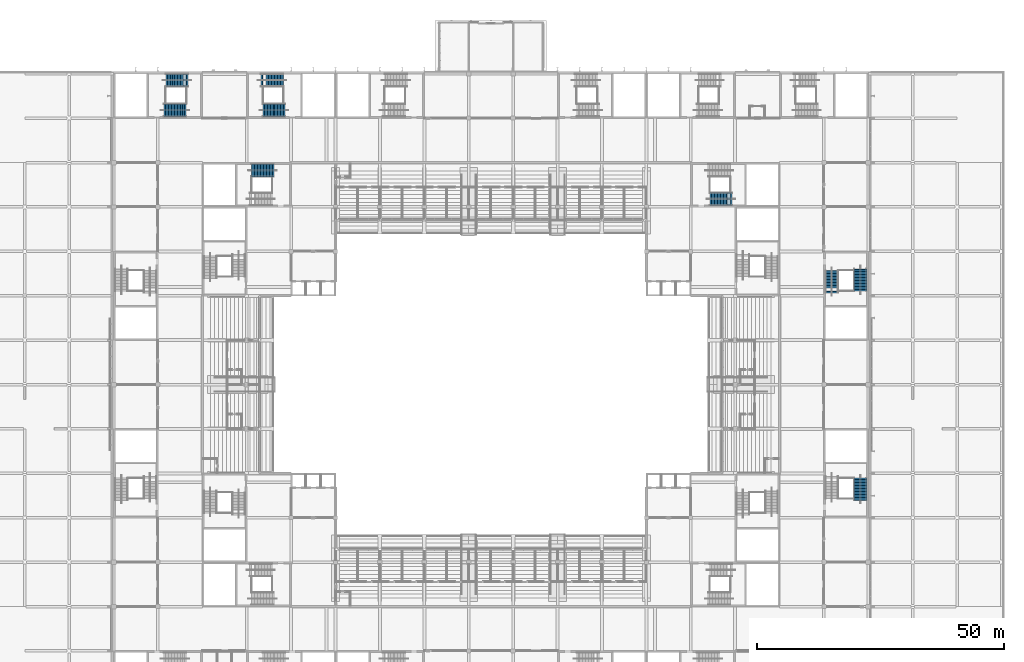
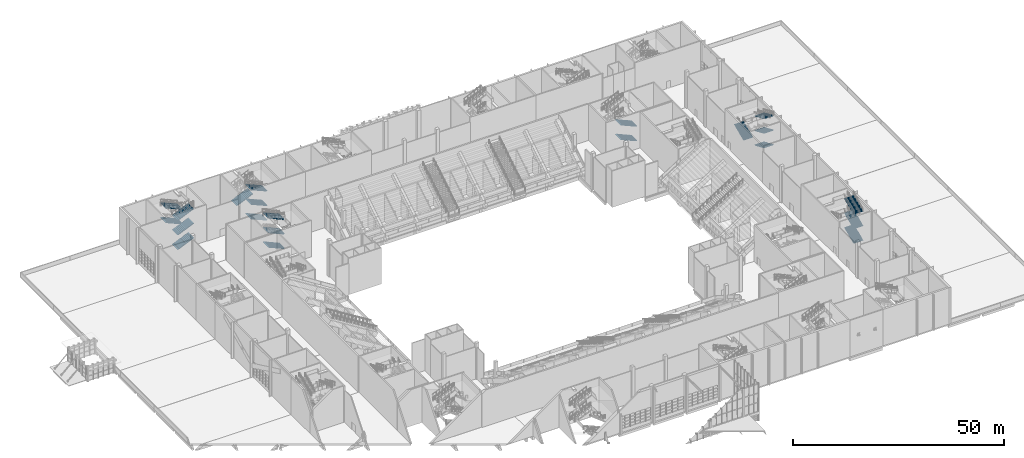
# One storey, part 100 of 182: 21 stair flights, 6 elements without a shape of their own.
"""IFC4 building model written with IfcOpenShell, lengths in metres."""

import ifcopenshell
import ifcopenshell.guid

model = None  # the IFC model being written
_history = None  # IfcOwnerHistory: only IFC2X3 demands one
_inside = {}  # id of a spatial element -> (the spatial element, [elements in it])
_under = {}  # id of a project, library or spatial element -> (it, [spatial elements below it])
_declared = {}  # id of a project -> (the project, [libraries it declares])
_typed = {}  # id of a type object -> (the type object, [elements of that type])
_made_of = {}  # id of a material, layer set ... -> (it, [elements and type objects made of it])


def new_model(schema):
    """Start an empty IFC model of exactly this schema.

    Asked for "IFC4X3", IfcOpenShell would pick the latest addendum, in which some entities
    have other attributes; the version numbers below select the first issue.
    IFC2X3 requires an IfcOwnerHistory on every rooted entity: one is made here for all.
    """
    global model, _history
    if schema == "IFC4X3":
        model = ifcopenshell.file(schema_version=(4, 3, 0, 0))
    else:
        model = ifcopenshell.file(schema=schema)
    _inside.clear()
    _under.clear()
    _declared.clear()
    _typed.clear()
    _made_of.clear()
    _history = None
    if model.schema == "IFC2X3":
        org = make("IfcOrganization", Name="unknown")
        user = make(
            "IfcPersonAndOrganization",
            ThePerson=make("IfcPerson", FamilyName="unknown"),
            TheOrganization=org,
        )
        app = make(
            "IfcApplication",
            ApplicationDeveloper=org,
            Version="unknown",
            ApplicationFullName="unknown",
            ApplicationIdentifier="unknown",
        )
        _history = make(
            "IfcOwnerHistory",
            OwningUser=user,
            OwningApplication=app,
            ChangeAction="ADDED",
            CreationDate=0,
        )
    return model


def make(cls, **values):
    """One entity of the class cls with the attributes given. An attribute that is None is left unset."""
    return model.create_entity(
        cls, **{name: value for name, value in values.items() if value is not None}
    )


def rooted(cls, **values):
    """An entity with a GlobalId (a new one), such as an element, a storey or a relation."""
    return make(cls, GlobalId=ifcopenshell.guid.new(), OwnerHistory=_history, **values)


def si_unit(unit_type, name, prefix=None):
    """IfcSIUnit, for example si_unit("LENGTHUNIT", "METRE", prefix="MILLI")."""
    return make("IfcSIUnit", UnitType=unit_type, Prefix=prefix, Name=name)


def assignment(units):
    """IfcUnitAssignment: the units of a project."""
    return None if units is None else make("IfcUnitAssignment", Units=units)


def point(xyz):
    """IfcCartesianPoint."""
    return None if xyz is None else make("IfcCartesianPoint", Coordinates=xyz)


def direction(xyz):
    """IfcDirection."""
    return None if xyz is None else make("IfcDirection", DirectionRatios=xyz)


def frame(location, z_axis=None, x_axis=None):
    """IfcAxis2Placement3D, a coordinate frame: its origin and axes. An axis left out is left unset."""
    return make(
        "IfcAxis2Placement3D",
        Location=point(location),
        Axis=direction(z_axis),
        RefDirection=direction(x_axis),
    )


def origin():
    """The frame at (0, 0, 0) with its axes left unset."""
    return frame((0.0, 0.0, 0.0))


def place(relative_to, where):
    """IfcLocalPlacement: puts the frame where relative to a parent placement (None: the world)."""
    return make(
        "IfcLocalPlacement", PlacementRelTo=relative_to, RelativePlacement=where
    )


def context(
    kind, dimensions, precision=None, world=None, true_north=None, identifier=None
):
    """IfcGeometricRepresentationContext, for example the 3D "Model" context."""
    return make(
        "IfcGeometricRepresentationContext",
        ContextIdentifier=identifier,
        ContextType=kind,
        CoordinateSpaceDimension=dimensions,
        Precision=precision,
        WorldCoordinateSystem=world,
        TrueNorth=true_north,
    )


def subcontext(parent, identifier, kind, view, scale=None):
    """IfcGeometricRepresentationSubContext, for example "Body" below "Model"."""
    return make(
        "IfcGeometricRepresentationSubContext",
        ContextIdentifier=identifier,
        ContextType=kind,
        ParentContext=parent,
        TargetScale=scale,
        TargetView=view,
    )


def project(units=None, contexts=None):
    """IfcProject with its units and contexts."""
    return rooted(
        "IfcProject",
        Name="project",
        RepresentationContexts=contexts,
        UnitsInContext=assignment(units),
    )


def spatial(cls, under=None, at=None, **own):
    """A site, building, storey or space (cls), placed at a placement, below another one or the project."""
    s = rooted(cls, ObjectPlacement=at, **own)
    if under is not None:
        _under.setdefault(under.id(), (under, []))[1].append(s)
    return s


def polyline(points):
    """IfcPolyline through the points."""
    return make("IfcPolyline", Points=[point(p) for p in points])


def outline(outer, holes=None, kind="AREA"):
    """IfcArbitraryClosedProfileDef: a profile drawn as a closed curve; with holes, ...WithVoids."""
    if holes is None:
        return make("IfcArbitraryClosedProfileDef", ProfileType=kind, OuterCurve=outer)
    return make(
        "IfcArbitraryProfileDefWithVoids",
        ProfileType=kind,
        OuterCurve=outer,
        InnerCurves=holes,
    )


def extrude(swept, where, along, depth):
    """IfcExtrudedAreaSolid: the profile swept, set in the frame where, extruded along a direction by depth."""
    return make(
        "IfcExtrudedAreaSolid",
        SweptArea=swept,
        Position=where,
        ExtrudedDirection=direction(along),
        Depth=depth,
    )


def shape(context_of_items, identifier, shape_type, items):
    """IfcShapeRepresentation: the items that make up one representation, for example the "Body"."""
    return make(
        "IfcShapeRepresentation",
        ContextOfItems=context_of_items,
        RepresentationIdentifier=identifier,
        RepresentationType=shape_type,
        Items=items,
    )


def material(Name=None, Category=None):
    """IfcMaterial."""
    return make("IfcMaterial", Name=Name, Category=Category)


def made_of(thing, what):
    """Note that an element or type object is made of a material, layer set ...; save() writes the relation."""
    if what is not None:
        _made_of.setdefault(what.id(), (what, []))[1].append(thing)
    return thing


def type_object(cls, material=None, **own):
    """A type object (cls), such as IfcWallType, which elements share."""
    return made_of(rooted(cls, **own), material)


def element(
    cls,
    number,
    at=None,
    inside=None,
    cuts=None,
    type_object=None,
    material=None,
    context=None,
    identifier="Body",
    shape_type=None,
    held_by="IfcProductDefinitionShape",
    body=None,
    shapes=None,
    **own,
):
    """One element of the class cls, such as IfcWall. Its Tag is "e" and its number.

    at: its placement. inside: the storey or other place that contains it. cuts: it is an
    opening in that element (IfcRelVoidsElement). A single representation is given by context,
    identifier, shape_type and body (its items); several are given by shapes. held_by: the class
    of the entity that holds the representations. save() writes the other relations.
    """
    e = rooted(cls, Tag="e%d" % number, ObjectPlacement=at, **own)
    if body is not None:
        shapes = [shape(context, identifier, shape_type, body)]
    if shapes is not None:
        e.Representation = make(held_by, Representations=shapes)
    if inside is not None:
        _inside.setdefault(inside.id(), (inside, []))[1].append(e)
    if cuts is not None:
        rooted(
            "IfcRelVoidsElement", RelatingBuildingElement=cuts, RelatedOpeningElement=e
        )
    if type_object is not None:
        _typed.setdefault(type_object.id(), (type_object, []))[1].append(e)
    return made_of(e, material)


def aggregate(whole, parts):
    """IfcRelAggregates: a whole, such as a stair, and the parts it consists of."""
    return rooted("IfcRelAggregates", RelatingObject=whole, RelatedObjects=parts)


def save(model, path):
    """Write the relations noted so far, then the file.

    IfcRelAggregates (storeys below a building ...), IfcRelContainedInSpatialStructure (elements
    in a storey), IfcRelDefinesByType, IfcRelAssociatesMaterial and IfcRelDeclares: one each for
    every whole, place, type object, material and project.
    """
    for whole, parts in _under.values():
        aggregate(whole, parts)
    for where, things in _inside.values():
        rooted(
            "IfcRelContainedInSpatialStructure",
            RelatedElements=things,
            RelatingStructure=where,
        )
    for kind, things in _typed.values():
        rooted("IfcRelDefinesByType", RelatedObjects=things, RelatingType=kind)
    for what, things in _made_of.values():
        rooted("IfcRelAssociatesMaterial", RelatedObjects=things, RelatingMaterial=what)
    for by, libraries in _declared.values():
        rooted("IfcRelDeclares", RelatingContext=by, RelatedDefinitions=libraries)
    model.write(path)


model = new_model("IFC4")

# Units and contexts
model_context = context("Model", 3, precision=1e-05, world=origin(), true_north=direction((0.0, 1.0)))
body_context = subcontext(model_context, "Body", "Model", "MODEL_VIEW")
ifc_project = project(units=[si_unit("LENGTHUNIT", "METRE"), si_unit("AREAUNIT", "SQUARE_METRE"), si_unit("VOLUMEUNIT", "CUBIC_METRE"), si_unit("PLANEANGLEUNIT", "RADIAN"), si_unit("MASSUNIT", "GRAM", prefix="KILO")], contexts=[model_context])

# Site, building, storey
site_placement = place(None, origin())
site = spatial("IfcSite", under=ifc_project, at=site_placement, CompositionType="ELEMENT")
building_placement = place(site_placement, origin())
building = spatial("IfcBuilding", under=site, at=building_placement, Name="Silverbay Arena", CompositionType="ELEMENT")
storey_placement = place(building_placement, frame((0.0, 0.0, 11.5)))
storey = spatial("IfcBuildingStorey", under=building, at=storey_placement, Name="L02", CompositionType="ELEMENT", Elevation=11.5)

# Stair, stair flights
ifc_material_1 = material(Name="Concrete Grade C45", Category="concrete")
stair_type = type_object("IfcStairType", Name="Stair 2600 wide 80 risers 131.2 x 300", PredefinedType="HALF_TURN_STAIR", material=ifc_material_1)
stair_1_placement = place(storey_placement, origin())
stair_1 = element("IfcStair", 1, at=stair_1_placement, inside=storey, type_object=stair_type, Name="Stair ST-N1 L02 to L03", PredefinedType="HALF_TURN_STAIR")
ifc_material_2 = material(Name="Concrete Grade C45", Category="concrete")
stair_flight_type = type_object("IfcStairFlightType", Name="Stair flight 2600 wide 16 risers 131.2 x 300", PredefinedType="STRAIGHT", material=ifc_material_2)
stair_flight_1_placement = place(storey_placement, frame((88.774169921875, 136.60009765625, 0.0), z_axis=(0.0, 0.0, 1.0), x_axis=(-1.0, 0.0, 0.0)))
stair_flight_1 = element("IfcStairFlight", 2, at=stair_flight_1_placement, type_object=stair_flight_type, Name="Stair ST-N1 L02 to L03 flight 1", NumberOfRisers=16, NumberOfTreads=15, PredefinedType="STRAIGHT", RiserHeight=0.13125, TreadLength=0.3, context=body_context, shape_type="SweptSolid", body=[
    extrude(outline(polyline([(0.0, 0.0), (0.0, 0.13134765625), (0.300048828125, 0.13134765625), (0.300048828125, 0.262451171875), (0.60009765625, 0.262451171875), (0.60009765625, 0.393798828125), (0.89990234375, 0.393798828125), (0.89990234375, 0.52490234375), (1.199951171875, 0.52490234375), (1.199951171875, 0.65625), (1.5, 0.65625), (1.5, 0.78759765625), (1.800048828125, 0.78759765625), (1.800048828125, 0.918701171875), (2.10009765625, 0.918701171875), (2.10009765625, 1.050048828125), (2.39990234375, 1.050048828125), (2.39990234375, 1.18115234375), (2.699951171875, 1.18115234375), (2.699951171875, 1.3125), (3.0, 1.3125), (3.0, 1.44384765625), (3.300048828125, 1.44384765625), (3.300048828125, 1.574951171875), (3.60009765625, 1.574951171875), (3.60009765625, 1.706298828125), (3.89990234375, 1.706298828125), (3.89990234375, 1.83740234375), (4.199951171875, 1.83740234375), (4.199951171875, 1.96875), (4.5, 1.96875), (4.5, 1.80517578125), (0.3740234375, 0.0), (0.0, 0.0)])), frame((0.0, 1.300048828125, 0.0), z_axis=(0.0, -1.0, 0.0), x_axis=(1.0, 0.0, 0.0)), (0.0, 0.0, 1.0), 2.60009765625),
])
stair_flight_2_placement = place(storey_placement, frame((83.89990234375, 142.699951171875, 2.10009765625), z_axis=(0.0, 0.0, 1.0), x_axis=(1.0, 0.0, 0.0)))
stair_flight_2 = element("IfcStairFlight", 3, at=stair_flight_2_placement, type_object=stair_flight_type, Name="Stair ST-N1 L02 to L03 flight 2", NumberOfRisers=16, NumberOfTreads=15, PredefinedType="STRAIGHT", RiserHeight=0.13125, TreadLength=0.3, context=body_context, shape_type="SweptSolid", body=[
    extrude(outline(polyline([(0.0, 0.0), (0.0, 0.13134765625), (0.300048828125, 0.13134765625), (0.300048828125, 0.262451171875), (0.60009765625, 0.262451171875), (0.60009765625, 0.393798828125), (0.89990234375, 0.393798828125), (0.89990234375, 0.52490234375), (1.199951171875, 0.52490234375), (1.199951171875, 0.65625), (1.5, 0.65625), (1.5, 0.78759765625), (1.800048828125, 0.78759765625), (1.800048828125, 0.918701171875), (2.10009765625, 0.918701171875), (2.10009765625, 1.050048828125), (2.39990234375, 1.050048828125), (2.39990234375, 1.18115234375), (2.699951171875, 1.18115234375), (2.699951171875, 1.3125), (3.0, 1.3125), (3.0, 1.44384765625), (3.300048828125, 1.44384765625), (3.300048828125, 1.574951171875), (3.60009765625, 1.574951171875), (3.60009765625, 1.706298828125), (3.89990234375, 1.706298828125), (3.89990234375, 1.83740234375), (4.199951171875, 1.83740234375), (4.199951171875, 1.96875), (4.5, 1.96875), (4.5, 1.80517578125), (0.3740234375, 0.0), (0.0, 0.0)])), frame((0.0, 1.300048828125, 0.0), z_axis=(0.0, -1.0, 0.0), x_axis=(1.0, 0.0, 0.0)), (0.0, 0.0, 1.0), 2.60009765625),
])
stair_flight_3_placement = place(storey_placement, frame((88.774169921875, 136.60009765625, 4.199951171875), z_axis=(0.0, 0.0, 1.0), x_axis=(-1.0, 0.0, 0.0)))
stair_flight_3 = element("IfcStairFlight", 4, at=stair_flight_3_placement, type_object=stair_flight_type, Name="Stair ST-N1 L02 to L03 flight 3", NumberOfRisers=16, NumberOfTreads=15, PredefinedType="STRAIGHT", RiserHeight=0.13125, TreadLength=0.3, context=body_context, shape_type="SweptSolid", body=[
    extrude(outline(polyline([(0.0, 0.0), (0.0, 0.13134765625), (0.300048828125, 0.13134765625), (0.300048828125, 0.262451171875), (0.60009765625, 0.262451171875), (0.60009765625, 0.393798828125), (0.89990234375, 0.393798828125), (0.89990234375, 0.52490234375), (1.199951171875, 0.52490234375), (1.199951171875, 0.65625), (1.5, 0.65625), (1.5, 0.78759765625), (1.800048828125, 0.78759765625), (1.800048828125, 0.918701171875), (2.10009765625, 0.918701171875), (2.10009765625, 1.050048828125), (2.39990234375, 1.050048828125), (2.39990234375, 1.18115234375), (2.699951171875, 1.18115234375), (2.699951171875, 1.3125), (3.0, 1.3125), (3.0, 1.44384765625), (3.300048828125, 1.44384765625), (3.300048828125, 1.574951171875), (3.60009765625, 1.574951171875), (3.60009765625, 1.706298828125), (3.89990234375, 1.706298828125), (3.89990234375, 1.83740234375), (4.199951171875, 1.83740234375), (4.199951171875, 1.96875), (4.5, 1.96875), (4.5, 1.80517578125), (0.3740234375, 0.0), (0.0, 0.0)])), frame((0.0, 1.300048828125, 0.0), z_axis=(0.0, -1.0, 0.0), x_axis=(1.0, 0.0, 0.0)), (0.0, 0.0, 1.0), 2.60009765625),
])
stair_flight_4_placement = place(storey_placement, frame((88.774169921875, 136.60009765625, 8.39990234375), z_axis=(0.0, 0.0, 1.0), x_axis=(-1.0, 0.0, 0.0)))
stair_flight_4 = element("IfcStairFlight", 5, at=stair_flight_4_placement, type_object=stair_flight_type, Name="Stair ST-N1 L02 to L03 flight 5", NumberOfRisers=16, NumberOfTreads=15, PredefinedType="STRAIGHT", RiserHeight=0.13125, TreadLength=0.3, context=body_context, shape_type="SweptSolid", body=[
    extrude(outline(polyline([(0.0, 0.0), (0.0, 0.13134765625), (0.300048828125, 0.13134765625), (0.300048828125, 0.262451171875), (0.60009765625, 0.262451171875), (0.60009765625, 0.393798828125), (0.89990234375, 0.393798828125), (0.89990234375, 0.52490234375), (1.199951171875, 0.52490234375), (1.199951171875, 0.65625), (1.5, 0.65625), (1.5, 0.78759765625), (1.800048828125, 0.78759765625), (1.800048828125, 0.918701171875), (2.10009765625, 0.918701171875), (2.10009765625, 1.050048828125), (2.39990234375, 1.050048828125), (2.39990234375, 1.18115234375), (2.699951171875, 1.18115234375), (2.699951171875, 1.3125), (3.0, 1.3125), (3.0, 1.44384765625), (3.300048828125, 1.44384765625), (3.300048828125, 1.574951171875), (3.60009765625, 1.574951171875), (3.60009765625, 1.706298828125), (3.89990234375, 1.706298828125), (3.89990234375, 1.83740234375), (4.199951171875, 1.83740234375), (4.199951171875, 1.96875), (4.5, 1.96875), (4.5, 1.80517578125), (0.3740234375, 0.0), (0.0, 0.0)])), frame((0.0, 1.300048828125, 0.0), z_axis=(0.0, -1.0, 0.0), x_axis=(1.0, 0.0, 0.0)), (0.0, 0.0, 1.0), 2.60009765625),
])
aggregate(stair_1, [stair_flight_1, stair_flight_2, stair_flight_3, stair_flight_4])

stair_2_placement = place(storey_placement, origin())
stair_2 = element("IfcStair", 6, at=stair_2_placement, inside=storey, type_object=stair_type, Name="Stair ST-N5 L02 to L03", PredefinedType="HALF_TURN_STAIR")
stair_flight_5_placement = place(storey_placement, frame((64.225830078125, 136.60009765625, 0.0), z_axis=(0.0, 0.0, 1.0), x_axis=(1.0, 0.0, 0.0)))
stair_flight_5 = element("IfcStairFlight", 7, at=stair_flight_5_placement, type_object=stair_flight_type, Name="Stair ST-N5 L02 to L03 flight 1", NumberOfRisers=16, NumberOfTreads=15, PredefinedType="STRAIGHT", RiserHeight=0.13125, TreadLength=0.3, context=body_context, shape_type="SweptSolid", body=[
    extrude(outline(polyline([(0.0, 0.0), (0.0, 0.13134765625), (0.300048828125, 0.13134765625), (0.300048828125, 0.262451171875), (0.60009765625, 0.262451171875), (0.60009765625, 0.393798828125), (0.89990234375, 0.393798828125), (0.89990234375, 0.52490234375), (1.199951171875, 0.52490234375), (1.199951171875, 0.65625), (1.5, 0.65625), (1.5, 0.78759765625), (1.800048828125, 0.78759765625), (1.800048828125, 0.918701171875), (2.10009765625, 0.918701171875), (2.10009765625, 1.050048828125), (2.39990234375, 1.050048828125), (2.39990234375, 1.18115234375), (2.699951171875, 1.18115234375), (2.699951171875, 1.3125), (3.0, 1.3125), (3.0, 1.44384765625), (3.300048828125, 1.44384765625), (3.300048828125, 1.574951171875), (3.60009765625, 1.574951171875), (3.60009765625, 1.706298828125), (3.89990234375, 1.706298828125), (3.89990234375, 1.83740234375), (4.199951171875, 1.83740234375), (4.199951171875, 1.96875), (4.5, 1.96875), (4.5, 1.80517578125), (0.3740234375, 0.0), (0.0, 0.0)])), frame((0.0, 1.300048828125, 0.0), z_axis=(0.0, -1.0, 0.0), x_axis=(1.0, 0.0, 0.0)), (0.0, 0.0, 1.0), 2.60009765625),
])
stair_flight_6_placement = place(storey_placement, frame((69.10009765625, 142.699951171875, 2.10009765625), z_axis=(0.0, 0.0, 1.0), x_axis=(-1.0, 0.0, 0.0)))
stair_flight_6 = element("IfcStairFlight", 8, at=stair_flight_6_placement, type_object=stair_flight_type, Name="Stair ST-N5 L02 to L03 flight 2", NumberOfRisers=16, NumberOfTreads=15, PredefinedType="STRAIGHT", RiserHeight=0.13125, TreadLength=0.3, context=body_context, shape_type="SweptSolid", body=[
    extrude(outline(polyline([(0.0, 0.0), (0.0, 0.13134765625), (0.300048828125, 0.13134765625), (0.300048828125, 0.262451171875), (0.60009765625, 0.262451171875), (0.60009765625, 0.393798828125), (0.89990234375, 0.393798828125), (0.89990234375, 0.52490234375), (1.199951171875, 0.52490234375), (1.199951171875, 0.65625), (1.5, 0.65625), (1.5, 0.78759765625), (1.800048828125, 0.78759765625), (1.800048828125, 0.918701171875), (2.10009765625, 0.918701171875), (2.10009765625, 1.050048828125), (2.39990234375, 1.050048828125), (2.39990234375, 1.18115234375), (2.699951171875, 1.18115234375), (2.699951171875, 1.3125), (3.0, 1.3125), (3.0, 1.44384765625), (3.300048828125, 1.44384765625), (3.300048828125, 1.574951171875), (3.60009765625, 1.574951171875), (3.60009765625, 1.706298828125), (3.89990234375, 1.706298828125), (3.89990234375, 1.83740234375), (4.199951171875, 1.83740234375), (4.199951171875, 1.96875), (4.5, 1.96875), (4.5, 1.80517578125), (0.3740234375, 0.0), (0.0, 0.0)])), frame((0.0, 1.300048828125, 0.0), z_axis=(0.0, -1.0, 0.0), x_axis=(1.0, 0.0, 0.0)), (0.0, 0.0, 1.0), 2.60009765625),
])
stair_flight_7_placement = place(storey_placement, frame((64.225830078125, 136.60009765625, 4.199951171875), z_axis=(0.0, 0.0, 1.0), x_axis=(1.0, 0.0, 0.0)))
stair_flight_7 = element("IfcStairFlight", 9, at=stair_flight_7_placement, type_object=stair_flight_type, Name="Stair ST-N5 L02 to L03 flight 3", NumberOfRisers=16, NumberOfTreads=15, PredefinedType="STRAIGHT", RiserHeight=0.13125, TreadLength=0.3, context=body_context, shape_type="SweptSolid", body=[
    extrude(outline(polyline([(0.0, 0.0), (0.0, 0.13134765625), (0.300048828125, 0.13134765625), (0.300048828125, 0.262451171875), (0.60009765625, 0.262451171875), (0.60009765625, 0.393798828125), (0.89990234375, 0.393798828125), (0.89990234375, 0.52490234375), (1.199951171875, 0.52490234375), (1.199951171875, 0.65625), (1.5, 0.65625), (1.5, 0.78759765625), (1.800048828125, 0.78759765625), (1.800048828125, 0.918701171875), (2.10009765625, 0.918701171875), (2.10009765625, 1.050048828125), (2.39990234375, 1.050048828125), (2.39990234375, 1.18115234375), (2.699951171875, 1.18115234375), (2.699951171875, 1.3125), (3.0, 1.3125), (3.0, 1.44384765625), (3.300048828125, 1.44384765625), (3.300048828125, 1.574951171875), (3.60009765625, 1.574951171875), (3.60009765625, 1.706298828125), (3.89990234375, 1.706298828125), (3.89990234375, 1.83740234375), (4.199951171875, 1.83740234375), (4.199951171875, 1.96875), (4.5, 1.96875), (4.5, 1.80517578125), (0.3740234375, 0.0), (0.0, 0.0)])), frame((0.0, 1.300048828125, 0.0), z_axis=(0.0, -1.0, 0.0), x_axis=(1.0, 0.0, 0.0)), (0.0, 0.0, 1.0), 2.60009765625),
])
stair_flight_8_placement = place(storey_placement, frame((69.10009765625, 142.699951171875, 6.300048828125), z_axis=(0.0, 0.0, 1.0), x_axis=(-1.0, 0.0, 0.0)))
stair_flight_8 = element("IfcStairFlight", 10, at=stair_flight_8_placement, type_object=stair_flight_type, Name="Stair ST-N5 L02 to L03 flight 4", NumberOfRisers=16, NumberOfTreads=15, PredefinedType="STRAIGHT", RiserHeight=0.13125, TreadLength=0.3, context=body_context, shape_type="SweptSolid", body=[
    extrude(outline(polyline([(0.0, 0.0), (0.0, 0.13134765625), (0.300048828125, 0.13134765625), (0.300048828125, 0.262451171875), (0.60009765625, 0.262451171875), (0.60009765625, 0.393798828125), (0.89990234375, 0.393798828125), (0.89990234375, 0.52490234375), (1.199951171875, 0.52490234375), (1.199951171875, 0.65625), (1.5, 0.65625), (1.5, 0.78759765625), (1.800048828125, 0.78759765625), (1.800048828125, 0.918701171875), (2.10009765625, 0.918701171875), (2.10009765625, 1.050048828125), (2.39990234375, 1.050048828125), (2.39990234375, 1.18115234375), (2.699951171875, 1.18115234375), (2.699951171875, 1.3125), (3.0, 1.3125), (3.0, 1.44384765625), (3.300048828125, 1.44384765625), (3.300048828125, 1.574951171875), (3.60009765625, 1.574951171875), (3.60009765625, 1.706298828125), (3.89990234375, 1.706298828125), (3.89990234375, 1.83740234375), (4.199951171875, 1.83740234375), (4.199951171875, 1.96875), (4.5, 1.96875), (4.5, 1.80517578125), (0.3740234375, 0.0), (0.0, 0.0)])), frame((0.0, 1.300048828125, 0.0), z_axis=(0.0, -1.0, 0.0), x_axis=(1.0, 0.0, 0.0)), (0.0, 0.0, 1.0), 2.60009765625),
])
stair_flight_9_placement = place(storey_placement, frame((64.225830078125, 136.60009765625, 8.39990234375), z_axis=(0.0, 0.0, 1.0), x_axis=(1.0, 0.0, 0.0)))
stair_flight_9 = element("IfcStairFlight", 11, at=stair_flight_9_placement, type_object=stair_flight_type, Name="Stair ST-N5 L02 to L03 flight 5", NumberOfRisers=16, NumberOfTreads=15, PredefinedType="STRAIGHT", RiserHeight=0.13125, TreadLength=0.3, context=body_context, shape_type="SweptSolid", body=[
    extrude(outline(polyline([(0.0, 0.0), (0.0, 0.13134765625), (0.300048828125, 0.13134765625), (0.300048828125, 0.262451171875), (0.60009765625, 0.262451171875), (0.60009765625, 0.393798828125), (0.89990234375, 0.393798828125), (0.89990234375, 0.52490234375), (1.199951171875, 0.52490234375), (1.199951171875, 0.65625), (1.5, 0.65625), (1.5, 0.78759765625), (1.800048828125, 0.78759765625), (1.800048828125, 0.918701171875), (2.10009765625, 0.918701171875), (2.10009765625, 1.050048828125), (2.39990234375, 1.050048828125), (2.39990234375, 1.18115234375), (2.699951171875, 1.18115234375), (2.699951171875, 1.3125), (3.0, 1.3125), (3.0, 1.44384765625), (3.300048828125, 1.44384765625), (3.300048828125, 1.574951171875), (3.60009765625, 1.574951171875), (3.60009765625, 1.706298828125), (3.89990234375, 1.706298828125), (3.89990234375, 1.83740234375), (4.199951171875, 1.83740234375), (4.199951171875, 1.96875), (4.5, 1.96875), (4.5, 1.80517578125), (0.3740234375, 0.0), (0.0, 0.0)])), frame((0.0, 1.300048828125, 0.0), z_axis=(0.0, -1.0, 0.0), x_axis=(1.0, 0.0, 0.0)), (0.0, 0.0, 1.0), 2.60009765625),
])
aggregate(stair_2, [stair_flight_5, stair_flight_6, stair_flight_7, stair_flight_8, stair_flight_9])

stair_3_placement = place(storey_placement, origin())
stair_3 = element("IfcStair", 12, at=stair_3_placement, inside=storey, type_object=stair_type, Name="Stair ST-E1 L02 to L03", PredefinedType="HALF_TURN_STAIR")
stair_flight_10_placement = place(storey_placement, frame((205.39990234375, 57.52587890625, 0.0), z_axis=(0.0, 0.0, 1.0), x_axis=(0.0, 1.0, 0.0)))
stair_flight_10 = element("IfcStairFlight", 13, at=stair_flight_10_placement, type_object=stair_flight_type, Name="Stair ST-E1 L02 to L03 flight 1", NumberOfRisers=16, NumberOfTreads=15, PredefinedType="STRAIGHT", RiserHeight=0.13125, TreadLength=0.3, context=body_context, shape_type="SweptSolid", body=[
    extrude(outline(polyline([(0.0, 0.0), (0.0, 0.13134765625), (0.300048828125, 0.13134765625), (0.300048828125, 0.262451171875), (0.60009765625, 0.262451171875), (0.60009765625, 0.393798828125), (0.89990234375, 0.393798828125), (0.89990234375, 0.52490234375), (1.199951171875, 0.52490234375), (1.199951171875, 0.65625), (1.5, 0.65625), (1.5, 0.78759765625), (1.800048828125, 0.78759765625), (1.800048828125, 0.918701171875), (2.10009765625, 0.918701171875), (2.10009765625, 1.050048828125), (2.39990234375, 1.050048828125), (2.39990234375, 1.18115234375), (2.699951171875, 1.18115234375), (2.699951171875, 1.3125), (3.0, 1.3125), (3.0, 1.44384765625), (3.300048828125, 1.44384765625), (3.300048828125, 1.574951171875), (3.60009765625, 1.574951171875), (3.60009765625, 1.706298828125), (3.89990234375, 1.706298828125), (3.89990234375, 1.83740234375), (4.199951171875, 1.83740234375), (4.199951171875, 1.96875), (4.5, 1.96875), (4.5, 1.80517578125), (0.3740234375, 0.0), (0.0, 0.0)])), frame((0.0, 1.300048828125, 0.0), z_axis=(0.0, -1.0, 0.0), x_axis=(1.0, 0.0, 0.0)), (0.0, 0.0, 1.0), 2.60009765625),
])
stair_flight_11_placement = place(storey_placement, frame((205.39990234375, 57.52587890625, 4.199951171875), z_axis=(0.0, 0.0, 1.0), x_axis=(0.0, 1.0, 0.0)))
stair_flight_11 = element("IfcStairFlight", 14, at=stair_flight_11_placement, type_object=stair_flight_type, Name="Stair ST-E1 L02 to L03 flight 3", NumberOfRisers=16, NumberOfTreads=15, PredefinedType="STRAIGHT", RiserHeight=0.13125, TreadLength=0.3, context=body_context, shape_type="SweptSolid", body=[
    extrude(outline(polyline([(0.0, 0.0), (0.0, 0.13134765625), (0.300048828125, 0.13134765625), (0.300048828125, 0.262451171875), (0.60009765625, 0.262451171875), (0.60009765625, 0.393798828125), (0.89990234375, 0.393798828125), (0.89990234375, 0.52490234375), (1.199951171875, 0.52490234375), (1.199951171875, 0.65625), (1.5, 0.65625), (1.5, 0.78759765625), (1.800048828125, 0.78759765625), (1.800048828125, 0.918701171875), (2.10009765625, 0.918701171875), (2.10009765625, 1.050048828125), (2.39990234375, 1.050048828125), (2.39990234375, 1.18115234375), (2.699951171875, 1.18115234375), (2.699951171875, 1.3125), (3.0, 1.3125), (3.0, 1.44384765625), (3.300048828125, 1.44384765625), (3.300048828125, 1.574951171875), (3.60009765625, 1.574951171875), (3.60009765625, 1.706298828125), (3.89990234375, 1.706298828125), (3.89990234375, 1.83740234375), (4.199951171875, 1.83740234375), (4.199951171875, 1.96875), (4.5, 1.96875), (4.5, 1.80517578125), (0.3740234375, 0.0), (0.0, 0.0)])), frame((0.0, 1.300048828125, 0.0), z_axis=(0.0, -1.0, 0.0), x_axis=(1.0, 0.0, 0.0)), (0.0, 0.0, 1.0), 2.60009765625),
])
stair_flight_12_placement = place(storey_placement, frame((205.39990234375, 57.52587890625, 8.39990234375), z_axis=(0.0, 0.0, 1.0), x_axis=(0.0, 1.0, 0.0)))
stair_flight_12 = element("IfcStairFlight", 15, at=stair_flight_12_placement, type_object=stair_flight_type, Name="Stair ST-E1 L02 to L03 flight 5", NumberOfRisers=16, NumberOfTreads=15, PredefinedType="STRAIGHT", RiserHeight=0.13125, TreadLength=0.3, context=body_context, shape_type="SweptSolid", body=[
    extrude(outline(polyline([(0.0, 0.0), (0.0, 0.13134765625), (0.300048828125, 0.13134765625), (0.300048828125, 0.262451171875), (0.60009765625, 0.262451171875), (0.60009765625, 0.393798828125), (0.89990234375, 0.393798828125), (0.89990234375, 0.52490234375), (1.199951171875, 0.52490234375), (1.199951171875, 0.65625), (1.5, 0.65625), (1.5, 0.78759765625), (1.800048828125, 0.78759765625), (1.800048828125, 0.918701171875), (2.10009765625, 0.918701171875), (2.10009765625, 1.050048828125), (2.39990234375, 1.050048828125), (2.39990234375, 1.18115234375), (2.699951171875, 1.18115234375), (2.699951171875, 1.3125), (3.0, 1.3125), (3.0, 1.44384765625), (3.300048828125, 1.44384765625), (3.300048828125, 1.574951171875), (3.60009765625, 1.574951171875), (3.60009765625, 1.706298828125), (3.89990234375, 1.706298828125), (3.89990234375, 1.83740234375), (4.199951171875, 1.83740234375), (4.199951171875, 1.96875), (4.5, 1.96875), (4.5, 1.80517578125), (0.3740234375, 0.0), (0.0, 0.0)])), frame((0.0, 1.300048828125, 0.0), z_axis=(0.0, -1.0, 0.0), x_axis=(1.0, 0.0, 0.0)), (0.0, 0.0, 1.0), 2.60009765625),
])
aggregate(stair_3, [stair_flight_10, stair_flight_11, stair_flight_12])

stair_4_placement = place(storey_placement, origin())
stair_4 = element("IfcStair", 16, at=stair_4_placement, inside=storey, type_object=stair_type, Name="Stair ST-E2 L02 to L03", PredefinedType="HALF_TURN_STAIR")
stair_flight_13_placement = place(storey_placement, frame((205.39990234375, 104.47412109375, 0.0), z_axis=(0.0, 0.0, 1.0), x_axis=(0.0, -1.0, 0.0)))
stair_flight_13 = element("IfcStairFlight", 17, at=stair_flight_13_placement, type_object=stair_flight_type, Name="Stair ST-E2 L02 to L03 flight 1", NumberOfRisers=16, NumberOfTreads=15, PredefinedType="STRAIGHT", RiserHeight=0.13125, TreadLength=0.3, context=body_context, shape_type="SweptSolid", body=[
    extrude(outline(polyline([(0.0, 0.0), (0.0, 0.13134765625), (0.300048828125, 0.13134765625), (0.300048828125, 0.262451171875), (0.60009765625, 0.262451171875), (0.60009765625, 0.393798828125), (0.89990234375, 0.393798828125), (0.89990234375, 0.52490234375), (1.199951171875, 0.52490234375), (1.199951171875, 0.65625), (1.5, 0.65625), (1.5, 0.78759765625), (1.800048828125, 0.78759765625), (1.800048828125, 0.918701171875), (2.10009765625, 0.918701171875), (2.10009765625, 1.050048828125), (2.39990234375, 1.050048828125), (2.39990234375, 1.18115234375), (2.699951171875, 1.18115234375), (2.699951171875, 1.3125), (3.0, 1.3125), (3.0, 1.44384765625), (3.300048828125, 1.44384765625), (3.300048828125, 1.574951171875), (3.60009765625, 1.574951171875), (3.60009765625, 1.706298828125), (3.89990234375, 1.706298828125), (3.89990234375, 1.83740234375), (4.199951171875, 1.83740234375), (4.199951171875, 1.96875), (4.5, 1.96875), (4.5, 1.80517578125), (0.3740234375, 0.0), (0.0, 0.0)])), frame((0.0, 1.300048828125, 0.0), z_axis=(0.0, -1.0, 0.0), x_axis=(1.0, 0.0, 0.0)), (0.0, 0.0, 1.0), 2.60009765625),
])
stair_flight_14_placement = place(storey_placement, frame((205.39990234375, 104.47412109375, 4.199951171875), z_axis=(0.0, 0.0, 1.0), x_axis=(0.0, -1.0, 0.0)))
stair_flight_14 = element("IfcStairFlight", 18, at=stair_flight_14_placement, type_object=stair_flight_type, Name="Stair ST-E2 L02 to L03 flight 3", NumberOfRisers=16, NumberOfTreads=15, PredefinedType="STRAIGHT", RiserHeight=0.13125, TreadLength=0.3, context=body_context, shape_type="SweptSolid", body=[
    extrude(outline(polyline([(0.0, 0.0), (0.0, 0.13134765625), (0.300048828125, 0.13134765625), (0.300048828125, 0.262451171875), (0.60009765625, 0.262451171875), (0.60009765625, 0.393798828125), (0.89990234375, 0.393798828125), (0.89990234375, 0.52490234375), (1.199951171875, 0.52490234375), (1.199951171875, 0.65625), (1.5, 0.65625), (1.5, 0.78759765625), (1.800048828125, 0.78759765625), (1.800048828125, 0.918701171875), (2.10009765625, 0.918701171875), (2.10009765625, 1.050048828125), (2.39990234375, 1.050048828125), (2.39990234375, 1.18115234375), (2.699951171875, 1.18115234375), (2.699951171875, 1.3125), (3.0, 1.3125), (3.0, 1.44384765625), (3.300048828125, 1.44384765625), (3.300048828125, 1.574951171875), (3.60009765625, 1.574951171875), (3.60009765625, 1.706298828125), (3.89990234375, 1.706298828125), (3.89990234375, 1.83740234375), (4.199951171875, 1.83740234375), (4.199951171875, 1.96875), (4.5, 1.96875), (4.5, 1.80517578125), (0.3740234375, 0.0), (0.0, 0.0)])), frame((0.0, 1.300048828125, 0.0), z_axis=(0.0, -1.0, 0.0), x_axis=(1.0, 0.0, 0.0)), (0.0, 0.0, 1.0), 2.60009765625),
])
stair_flight_15_placement = place(storey_placement, frame((199.60009765625, 99.60009765625, 6.300048828125), z_axis=(0.0, 0.0, 1.0), x_axis=(0.0, 1.0, 0.0)))
stair_flight_15 = element("IfcStairFlight", 19, at=stair_flight_15_placement, type_object=stair_flight_type, Name="Stair ST-E2 L02 to L03 flight 4", NumberOfRisers=16, NumberOfTreads=15, PredefinedType="STRAIGHT", RiserHeight=0.13125, TreadLength=0.3, context=body_context, shape_type="SweptSolid", body=[
    extrude(outline(polyline([(0.0, 0.0), (0.0, 0.13134765625), (0.300048828125, 0.13134765625), (0.300048828125, 0.262451171875), (0.60009765625, 0.262451171875), (0.60009765625, 0.393798828125), (0.89990234375, 0.393798828125), (0.89990234375, 0.52490234375), (1.199951171875, 0.52490234375), (1.199951171875, 0.65625), (1.5, 0.65625), (1.5, 0.78759765625), (1.800048828125, 0.78759765625), (1.800048828125, 0.918701171875), (2.10009765625, 0.918701171875), (2.10009765625, 1.050048828125), (2.39990234375, 1.050048828125), (2.39990234375, 1.18115234375), (2.699951171875, 1.18115234375), (2.699951171875, 1.3125), (3.0, 1.3125), (3.0, 1.44384765625), (3.300048828125, 1.44384765625), (3.300048828125, 1.574951171875), (3.60009765625, 1.574951171875), (3.60009765625, 1.706298828125), (3.89990234375, 1.706298828125), (3.89990234375, 1.83740234375), (4.199951171875, 1.83740234375), (4.199951171875, 1.96875), (4.5, 1.96875), (4.5, 1.80517578125), (0.3740234375, 0.0), (0.0, 0.0)])), frame((0.0, 1.300048828125, 0.0), z_axis=(0.0, -1.0, 0.0), x_axis=(1.0, 0.0, 0.0)), (0.0, 0.0, 1.0), 2.60009765625),
])
stair_flight_16_placement = place(storey_placement, frame((205.39990234375, 104.47412109375, 8.39990234375), z_axis=(0.0, 0.0, 1.0), x_axis=(0.0, -1.0, 0.0)))
stair_flight_16 = element("IfcStairFlight", 20, at=stair_flight_16_placement, type_object=stair_flight_type, Name="Stair ST-E2 L02 to L03 flight 5", NumberOfRisers=16, NumberOfTreads=15, PredefinedType="STRAIGHT", RiserHeight=0.13125, TreadLength=0.3, context=body_context, shape_type="SweptSolid", body=[
    extrude(outline(polyline([(0.0, 0.0), (0.0, 0.13134765625), (0.300048828125, 0.13134765625), (0.300048828125, 0.262451171875), (0.60009765625, 0.262451171875), (0.60009765625, 0.393798828125), (0.89990234375, 0.393798828125), (0.89990234375, 0.52490234375), (1.199951171875, 0.52490234375), (1.199951171875, 0.65625), (1.5, 0.65625), (1.5, 0.78759765625), (1.800048828125, 0.78759765625), (1.800048828125, 0.918701171875), (2.10009765625, 0.918701171875), (2.10009765625, 1.050048828125), (2.39990234375, 1.050048828125), (2.39990234375, 1.18115234375), (2.699951171875, 1.18115234375), (2.699951171875, 1.3125), (3.0, 1.3125), (3.0, 1.44384765625), (3.300048828125, 1.44384765625), (3.300048828125, 1.574951171875), (3.60009765625, 1.574951171875), (3.60009765625, 1.706298828125), (3.89990234375, 1.706298828125), (3.89990234375, 1.83740234375), (4.199951171875, 1.83740234375), (4.199951171875, 1.96875), (4.5, 1.96875), (4.5, 1.80517578125), (0.3740234375, 0.0), (0.0, 0.0)])), frame((0.0, 1.300048828125, 0.0), z_axis=(0.0, -1.0, 0.0), x_axis=(1.0, 0.0, 0.0)), (0.0, 0.0, 1.0), 2.60009765625),
])
aggregate(stair_4, [stair_flight_13, stair_flight_14, stair_flight_15, stair_flight_16])

stair_5_placement = place(storey_placement, origin())
stair_5 = element("IfcStair", 21, at=stair_5_placement, inside=storey, type_object=stair_type, Name="Stair ST-NW1 L02 to L03", PredefinedType="HALF_TURN_STAIR")
stair_flight_17_placement = place(storey_placement, frame((86.47412109375, 124.39990234375, 0.0), z_axis=(0.0, 0.0, 1.0), x_axis=(-1.0, 0.0, 0.0)))
stair_flight_17 = element("IfcStairFlight", 22, at=stair_flight_17_placement, type_object=stair_flight_type, Name="Stair ST-NW1 L02 to L03 flight 1", NumberOfRisers=16, NumberOfTreads=15, PredefinedType="STRAIGHT", RiserHeight=0.13125, TreadLength=0.3, context=body_context, shape_type="SweptSolid", body=[
    extrude(outline(polyline([(0.0, 0.0), (0.0, 0.13134765625), (0.300048828125, 0.13134765625), (0.300048828125, 0.262451171875), (0.60009765625, 0.262451171875), (0.60009765625, 0.393798828125), (0.89990234375, 0.393798828125), (0.89990234375, 0.52490234375), (1.199951171875, 0.52490234375), (1.199951171875, 0.65625), (1.5, 0.65625), (1.5, 0.78759765625), (1.800048828125, 0.78759765625), (1.800048828125, 0.918701171875), (2.10009765625, 0.918701171875), (2.10009765625, 1.050048828125), (2.39990234375, 1.050048828125), (2.39990234375, 1.18115234375), (2.699951171875, 1.18115234375), (2.699951171875, 1.3125), (3.0, 1.3125), (3.0, 1.44384765625), (3.300048828125, 1.44384765625), (3.300048828125, 1.574951171875), (3.60009765625, 1.574951171875), (3.60009765625, 1.706298828125), (3.89990234375, 1.706298828125), (3.89990234375, 1.83740234375), (4.199951171875, 1.83740234375), (4.199951171875, 1.96875), (4.5, 1.96875), (4.5, 1.80517578125), (0.3740234375, 0.0), (0.0, 0.0)])), frame((0.0, 1.300048828125, 0.0), z_axis=(0.0, -1.0, 0.0), x_axis=(1.0, 0.0, 0.0)), (0.0, 0.0, 1.0), 2.60009765625),
])
stair_flight_18_placement = place(storey_placement, frame((86.47412109375, 124.39990234375, 4.199951171875), z_axis=(0.0, 0.0, 1.0), x_axis=(-1.0, 0.0, 0.0)))
stair_flight_18 = element("IfcStairFlight", 23, at=stair_flight_18_placement, type_object=stair_flight_type, Name="Stair ST-NW1 L02 to L03 flight 3", NumberOfRisers=16, NumberOfTreads=15, PredefinedType="STRAIGHT", RiserHeight=0.13125, TreadLength=0.3, context=body_context, shape_type="SweptSolid", body=[
    extrude(outline(polyline([(0.0, 0.0), (0.0, 0.13134765625), (0.300048828125, 0.13134765625), (0.300048828125, 0.262451171875), (0.60009765625, 0.262451171875), (0.60009765625, 0.393798828125), (0.89990234375, 0.393798828125), (0.89990234375, 0.52490234375), (1.199951171875, 0.52490234375), (1.199951171875, 0.65625), (1.5, 0.65625), (1.5, 0.78759765625), (1.800048828125, 0.78759765625), (1.800048828125, 0.918701171875), (2.10009765625, 0.918701171875), (2.10009765625, 1.050048828125), (2.39990234375, 1.050048828125), (2.39990234375, 1.18115234375), (2.699951171875, 1.18115234375), (2.699951171875, 1.3125), (3.0, 1.3125), (3.0, 1.44384765625), (3.300048828125, 1.44384765625), (3.300048828125, 1.574951171875), (3.60009765625, 1.574951171875), (3.60009765625, 1.706298828125), (3.89990234375, 1.706298828125), (3.89990234375, 1.83740234375), (4.199951171875, 1.83740234375), (4.199951171875, 1.96875), (4.5, 1.96875), (4.5, 1.80517578125), (0.3740234375, 0.0), (0.0, 0.0)])), frame((0.0, 1.300048828125, 0.0), z_axis=(0.0, -1.0, 0.0), x_axis=(1.0, 0.0, 0.0)), (0.0, 0.0, 1.0), 2.60009765625),
])
stair_flight_19_placement = place(storey_placement, frame((86.47412109375, 124.39990234375, 8.39990234375), z_axis=(0.0, 0.0, 1.0), x_axis=(-1.0, 0.0, 0.0)))
stair_flight_19 = element("IfcStairFlight", 24, at=stair_flight_19_placement, type_object=stair_flight_type, Name="Stair ST-NW1 L02 to L03 flight 5", NumberOfRisers=16, NumberOfTreads=15, PredefinedType="STRAIGHT", RiserHeight=0.13125, TreadLength=0.3, context=body_context, shape_type="SweptSolid", body=[
    extrude(outline(polyline([(0.0, 0.0), (0.0, 0.13134765625), (0.300048828125, 0.13134765625), (0.300048828125, 0.262451171875), (0.60009765625, 0.262451171875), (0.60009765625, 0.393798828125), (0.89990234375, 0.393798828125), (0.89990234375, 0.52490234375), (1.199951171875, 0.52490234375), (1.199951171875, 0.65625), (1.5, 0.65625), (1.5, 0.78759765625), (1.800048828125, 0.78759765625), (1.800048828125, 0.918701171875), (2.10009765625, 0.918701171875), (2.10009765625, 1.050048828125), (2.39990234375, 1.050048828125), (2.39990234375, 1.18115234375), (2.699951171875, 1.18115234375), (2.699951171875, 1.3125), (3.0, 1.3125), (3.0, 1.44384765625), (3.300048828125, 1.44384765625), (3.300048828125, 1.574951171875), (3.60009765625, 1.574951171875), (3.60009765625, 1.706298828125), (3.89990234375, 1.706298828125), (3.89990234375, 1.83740234375), (4.199951171875, 1.83740234375), (4.199951171875, 1.96875), (4.5, 1.96875), (4.5, 1.80517578125), (0.3740234375, 0.0), (0.0, 0.0)])), frame((0.0, 1.300048828125, 0.0), z_axis=(0.0, -1.0, 0.0), x_axis=(1.0, 0.0, 0.0)), (0.0, 0.0, 1.0), 2.60009765625),
])
aggregate(stair_5, [stair_flight_17, stair_flight_18, stair_flight_19])

stair_6_placement = place(storey_placement, origin())
stair_6 = element("IfcStair", 25, at=stair_6_placement, inside=storey, type_object=stair_type, Name="Stair ST-NE1 L02 to L03", PredefinedType="HALF_TURN_STAIR")
stair_flight_20_placement = place(storey_placement, frame((179.39990234375, 118.60009765625, 2.10009765625), z_axis=(0.0, 0.0, 1.0), x_axis=(-1.0, 0.0, 0.0)))
stair_flight_20 = element("IfcStairFlight", 26, at=stair_flight_20_placement, type_object=stair_flight_type, Name="Stair ST-NE1 L02 to L03 flight 2", NumberOfRisers=16, NumberOfTreads=15, PredefinedType="STRAIGHT", RiserHeight=0.13125, TreadLength=0.3, context=body_context, shape_type="SweptSolid", body=[
    extrude(outline(polyline([(0.0, 0.0), (0.0, 0.13134765625), (0.300048828125, 0.13134765625), (0.300048828125, 0.262451171875), (0.60009765625, 0.262451171875), (0.60009765625, 0.393798828125), (0.89990234375, 0.393798828125), (0.89990234375, 0.52490234375), (1.199951171875, 0.52490234375), (1.199951171875, 0.65625), (1.5, 0.65625), (1.5, 0.78759765625), (1.800048828125, 0.78759765625), (1.800048828125, 0.918701171875), (2.10009765625, 0.918701171875), (2.10009765625, 1.050048828125), (2.39990234375, 1.050048828125), (2.39990234375, 1.18115234375), (2.699951171875, 1.18115234375), (2.699951171875, 1.3125), (3.0, 1.3125), (3.0, 1.44384765625), (3.300048828125, 1.44384765625), (3.300048828125, 1.574951171875), (3.60009765625, 1.574951171875), (3.60009765625, 1.706298828125), (3.89990234375, 1.706298828125), (3.89990234375, 1.83740234375), (4.199951171875, 1.83740234375), (4.199951171875, 1.96875), (4.5, 1.96875), (4.5, 1.80517578125), (0.3740234375, 0.0), (0.0, 0.0)])), frame((0.0, 1.300048828125, 0.0), z_axis=(0.0, -1.0, 0.0), x_axis=(1.0, 0.0, 0.0)), (0.0, 0.0, 1.0), 2.60009765625),
])
stair_flight_21_placement = place(storey_placement, frame((179.39990234375, 118.60009765625, 6.300048828125), z_axis=(0.0, 0.0, 1.0), x_axis=(-1.0, 0.0, 0.0)))
stair_flight_21 = element("IfcStairFlight", 27, at=stair_flight_21_placement, type_object=stair_flight_type, Name="Stair ST-NE1 L02 to L03 flight 4", NumberOfRisers=16, NumberOfTreads=15, PredefinedType="STRAIGHT", RiserHeight=0.13125, TreadLength=0.3, context=body_context, shape_type="SweptSolid", body=[
    extrude(outline(polyline([(0.0, 0.0), (0.0, 0.13134765625), (0.300048828125, 0.13134765625), (0.300048828125, 0.262451171875), (0.60009765625, 0.262451171875), (0.60009765625, 0.393798828125), (0.89990234375, 0.393798828125), (0.89990234375, 0.52490234375), (1.199951171875, 0.52490234375), (1.199951171875, 0.65625), (1.5, 0.65625), (1.5, 0.78759765625), (1.800048828125, 0.78759765625), (1.800048828125, 0.918701171875), (2.10009765625, 0.918701171875), (2.10009765625, 1.050048828125), (2.39990234375, 1.050048828125), (2.39990234375, 1.18115234375), (2.699951171875, 1.18115234375), (2.699951171875, 1.3125), (3.0, 1.3125), (3.0, 1.44384765625), (3.300048828125, 1.44384765625), (3.300048828125, 1.574951171875), (3.60009765625, 1.574951171875), (3.60009765625, 1.706298828125), (3.89990234375, 1.706298828125), (3.89990234375, 1.83740234375), (4.199951171875, 1.83740234375), (4.199951171875, 1.96875), (4.5, 1.96875), (4.5, 1.80517578125), (0.3740234375, 0.0), (0.0, 0.0)])), frame((0.0, 1.300048828125, 0.0), z_axis=(0.0, -1.0, 0.0), x_axis=(1.0, 0.0, 0.0)), (0.0, 0.0, 1.0), 2.60009765625),
])
aggregate(stair_6, [stair_flight_20, stair_flight_21])

save(model, "model.ifc")
